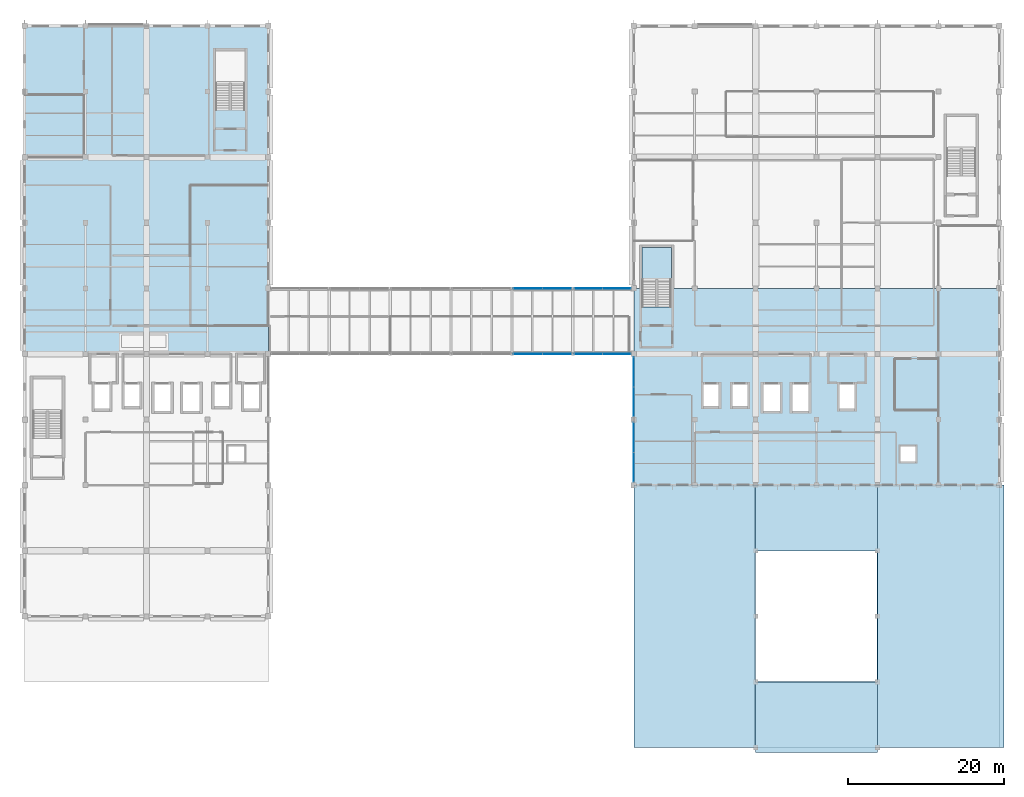
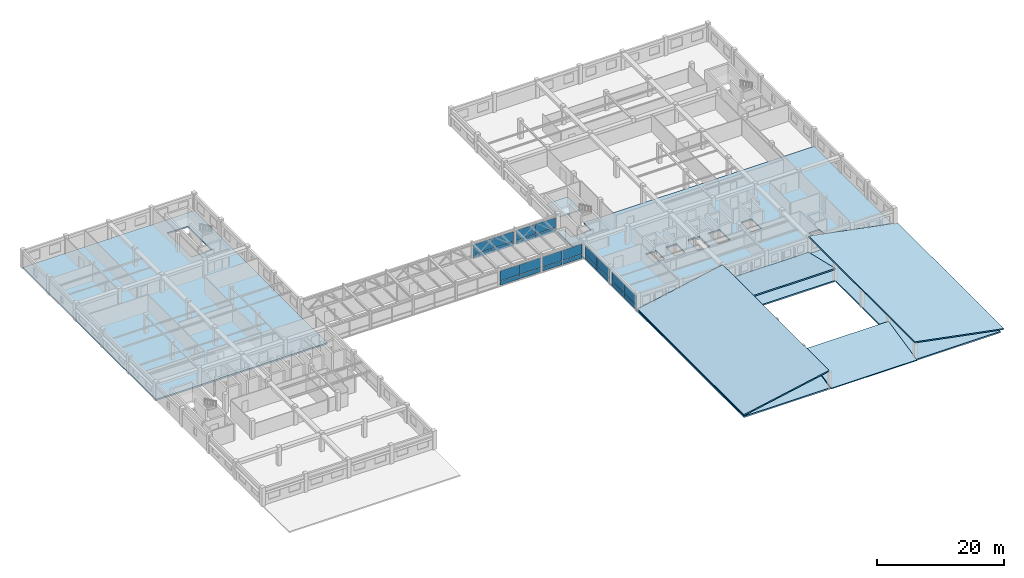
# One storey, part 29 of 49: 24 plates, 8 slabs, 7 elements without a shape of their own.
"""IFC4 building model written with IfcOpenShell, lengths in metres."""

import ifcopenshell
import ifcopenshell.guid

model = None  # the IFC model being written
_history = None  # IfcOwnerHistory: only IFC2X3 demands one
_inside = {}  # id of a spatial element -> (the spatial element, [elements in it])
_under = {}  # id of a project, library or spatial element -> (it, [spatial elements below it])
_declared = {}  # id of a project -> (the project, [libraries it declares])
_typed = {}  # id of a type object -> (the type object, [elements of that type])
_made_of = {}  # id of a material, layer set ... -> (it, [elements and type objects made of it])


def new_model(schema):
    """Start an empty IFC model of exactly this schema.

    Asked for "IFC4X3", IfcOpenShell would pick the latest addendum, in which some entities
    have other attributes; the version numbers below select the first issue.
    IFC2X3 requires an IfcOwnerHistory on every rooted entity: one is made here for all.
    """
    global model, _history
    if schema == "IFC4X3":
        model = ifcopenshell.file(schema_version=(4, 3, 0, 0))
    else:
        model = ifcopenshell.file(schema=schema)
    _inside.clear()
    _under.clear()
    _declared.clear()
    _typed.clear()
    _made_of.clear()
    _history = None
    if model.schema == "IFC2X3":
        org = make("IfcOrganization", Name="unknown")
        user = make(
            "IfcPersonAndOrganization",
            ThePerson=make("IfcPerson", FamilyName="unknown"),
            TheOrganization=org,
        )
        app = make(
            "IfcApplication",
            ApplicationDeveloper=org,
            Version="unknown",
            ApplicationFullName="unknown",
            ApplicationIdentifier="unknown",
        )
        _history = make(
            "IfcOwnerHistory",
            OwningUser=user,
            OwningApplication=app,
            ChangeAction="ADDED",
            CreationDate=0,
        )
    return model


def make(cls, **values):
    """One entity of the class cls with the attributes given. An attribute that is None is left unset."""
    return model.create_entity(
        cls, **{name: value for name, value in values.items() if value is not None}
    )


def rooted(cls, **values):
    """An entity with a GlobalId (a new one), such as an element, a storey or a relation."""
    return make(cls, GlobalId=ifcopenshell.guid.new(), OwnerHistory=_history, **values)


def si_unit(unit_type, name, prefix=None):
    """IfcSIUnit, for example si_unit("LENGTHUNIT", "METRE", prefix="MILLI")."""
    return make("IfcSIUnit", UnitType=unit_type, Prefix=prefix, Name=name)


def assignment(units):
    """IfcUnitAssignment: the units of a project."""
    return None if units is None else make("IfcUnitAssignment", Units=units)


def point(xyz):
    """IfcCartesianPoint."""
    return None if xyz is None else make("IfcCartesianPoint", Coordinates=xyz)


def direction(xyz):
    """IfcDirection."""
    return None if xyz is None else make("IfcDirection", DirectionRatios=xyz)


def frame(location, z_axis=None, x_axis=None):
    """IfcAxis2Placement3D, a coordinate frame: its origin and axes. An axis left out is left unset."""
    return make(
        "IfcAxis2Placement3D",
        Location=point(location),
        Axis=direction(z_axis),
        RefDirection=direction(x_axis),
    )


def frame_2d(location, x_axis=None):
    """IfcAxis2Placement2D, a coordinate frame in the plane: its origin and x axis."""
    return make(
        "IfcAxis2Placement2D", Location=point(location), RefDirection=direction(x_axis)
    )


def origin():
    """The frame at (0, 0, 0) with its axes left unset."""
    return frame((0.0, 0.0, 0.0))


def origin_2d():
    """The frame at (0, 0) in the plane with its x axis left unset."""
    return frame_2d((0.0, 0.0))


def place(relative_to, where):
    """IfcLocalPlacement: puts the frame where relative to a parent placement (None: the world)."""
    return make(
        "IfcLocalPlacement", PlacementRelTo=relative_to, RelativePlacement=where
    )


def context(
    kind, dimensions, precision=None, world=None, true_north=None, identifier=None
):
    """IfcGeometricRepresentationContext, for example the 3D "Model" context."""
    return make(
        "IfcGeometricRepresentationContext",
        ContextIdentifier=identifier,
        ContextType=kind,
        CoordinateSpaceDimension=dimensions,
        Precision=precision,
        WorldCoordinateSystem=world,
        TrueNorth=true_north,
    )


def subcontext(parent, identifier, kind, view, scale=None):
    """IfcGeometricRepresentationSubContext, for example "Body" below "Model"."""
    return make(
        "IfcGeometricRepresentationSubContext",
        ContextIdentifier=identifier,
        ContextType=kind,
        ParentContext=parent,
        TargetScale=scale,
        TargetView=view,
    )


def project(units=None, contexts=None):
    """IfcProject with its units and contexts."""
    return rooted(
        "IfcProject",
        Name="project",
        RepresentationContexts=contexts,
        UnitsInContext=assignment(units),
    )


def spatial(cls, under=None, at=None, **own):
    """A site, building, storey or space (cls), placed at a placement, below another one or the project."""
    s = rooted(cls, ObjectPlacement=at, **own)
    if under is not None:
        _under.setdefault(under.id(), (under, []))[1].append(s)
    return s


def polyline(points):
    """IfcPolyline through the points."""
    return make("IfcPolyline", Points=[point(p) for p in points])


def profile(cls, at=None, kind="AREA", **sizes):
    """A parametric profile (cls). Its sizes go by their IFC names, for example OverallWidth=200.0."""
    return make(cls, ProfileType=kind, Position=at, **sizes)


def rectangle(**sizes):
    """IfcRectangleProfileDef."""
    return profile("IfcRectangleProfileDef", **sizes)


def outline(outer, holes=None, kind="AREA"):
    """IfcArbitraryClosedProfileDef: a profile drawn as a closed curve; with holes, ...WithVoids."""
    if holes is None:
        return make("IfcArbitraryClosedProfileDef", ProfileType=kind, OuterCurve=outer)
    return make(
        "IfcArbitraryProfileDefWithVoids",
        ProfileType=kind,
        OuterCurve=outer,
        InnerCurves=holes,
    )


def extrude(swept, where, along, depth):
    """IfcExtrudedAreaSolid: the profile swept, set in the frame where, extruded along a direction by depth."""
    return make(
        "IfcExtrudedAreaSolid",
        SweptArea=swept,
        Position=where,
        ExtrudedDirection=direction(along),
        Depth=depth,
    )


def shape(context_of_items, identifier, shape_type, items):
    """IfcShapeRepresentation: the items that make up one representation, for example the "Body"."""
    return make(
        "IfcShapeRepresentation",
        ContextOfItems=context_of_items,
        RepresentationIdentifier=identifier,
        RepresentationType=shape_type,
        Items=items,
    )


def material(Name=None, Category=None):
    """IfcMaterial."""
    return make("IfcMaterial", Name=Name, Category=Category)


def layer(
    of_material, thickness, ventilated=None, Name=None, Category=None, Priority=None
):
    """IfcMaterialLayer: one layer of a wall or slab, of a material (None: an air gap)."""
    return make(
        "IfcMaterialLayer",
        Material=of_material,
        LayerThickness=thickness,
        IsVentilated=ventilated,
        Name=Name,
        Category=Category,
        Priority=Priority,
    )


def layer_set(layers, Name=None):
    """IfcMaterialLayerSet."""
    return make("IfcMaterialLayerSet", MaterialLayers=layers, LayerSetName=Name)


def made_of(thing, what):
    """Note that an element or type object is made of a material, layer set ...; save() writes the relation."""
    if what is not None:
        _made_of.setdefault(what.id(), (what, []))[1].append(thing)
    return thing


def type_object(cls, material=None, **own):
    """A type object (cls), such as IfcWallType, which elements share."""
    return made_of(rooted(cls, **own), material)


def element(
    cls,
    number,
    at=None,
    inside=None,
    cuts=None,
    type_object=None,
    material=None,
    context=None,
    identifier="Body",
    shape_type=None,
    held_by="IfcProductDefinitionShape",
    body=None,
    shapes=None,
    **own,
):
    """One element of the class cls, such as IfcWall. Its Tag is "e" and its number.

    at: its placement. inside: the storey or other place that contains it. cuts: it is an
    opening in that element (IfcRelVoidsElement). A single representation is given by context,
    identifier, shape_type and body (its items); several are given by shapes. held_by: the class
    of the entity that holds the representations. save() writes the other relations.
    """
    e = rooted(cls, Tag="e%d" % number, ObjectPlacement=at, **own)
    if body is not None:
        shapes = [shape(context, identifier, shape_type, body)]
    if shapes is not None:
        e.Representation = make(held_by, Representations=shapes)
    if inside is not None:
        _inside.setdefault(inside.id(), (inside, []))[1].append(e)
    if cuts is not None:
        rooted(
            "IfcRelVoidsElement", RelatingBuildingElement=cuts, RelatedOpeningElement=e
        )
    if type_object is not None:
        _typed.setdefault(type_object.id(), (type_object, []))[1].append(e)
    return made_of(e, material)


def aggregate(whole, parts):
    """IfcRelAggregates: a whole, such as a stair, and the parts it consists of."""
    return rooted("IfcRelAggregates", RelatingObject=whole, RelatedObjects=parts)


def save(model, path):
    """Write the relations noted so far, then the file.

    IfcRelAggregates (storeys below a building ...), IfcRelContainedInSpatialStructure (elements
    in a storey), IfcRelDefinesByType, IfcRelAssociatesMaterial and IfcRelDeclares: one each for
    every whole, place, type object, material and project.
    """
    for whole, parts in _under.values():
        aggregate(whole, parts)
    for where, things in _inside.values():
        rooted(
            "IfcRelContainedInSpatialStructure",
            RelatedElements=things,
            RelatingStructure=where,
        )
    for kind, things in _typed.values():
        rooted("IfcRelDefinesByType", RelatedObjects=things, RelatingType=kind)
    for what, things in _made_of.values():
        rooted("IfcRelAssociatesMaterial", RelatedObjects=things, RelatingMaterial=what)
    for by, libraries in _declared.values():
        rooted("IfcRelDeclares", RelatingContext=by, RelatedDefinitions=libraries)
    model.write(path)


model = new_model("IFC4")

# Units and contexts
model_context = context("Model", 3, precision=1e-05, world=origin(), true_north=direction((0.0, 1.0)))
body_context = subcontext(model_context, "Body", "Model", "MODEL_VIEW")
ifc_project = project(units=[si_unit("LENGTHUNIT", "METRE"), si_unit("AREAUNIT", "SQUARE_METRE"), si_unit("VOLUMEUNIT", "CUBIC_METRE"), si_unit("PLANEANGLEUNIT", "RADIAN"), si_unit("MASSUNIT", "GRAM", prefix="KILO"), si_unit("THERMODYNAMICTEMPERATUREUNIT", "KELVIN"), si_unit("POWERUNIT", "WATT")], contexts=[model_context])

# Site, building, storey
site_placement = place(None, origin())
site = spatial("IfcSite", under=ifc_project, at=site_placement, CompositionType="ELEMENT")
building_placement = place(site_placement, origin())
building = spatial("IfcBuilding", under=site, at=building_placement, Name="Srebrne Nadtorze General Hospital", CompositionType="ELEMENT")
storey_placement = place(building_placement, frame((0.0, 0.0, 26.10009765625)))
storey = spatial("IfcBuildingStorey", under=building, at=storey_placement, Name="L06", CompositionType="ELEMENT", Elevation=26.10009765625)

# Curtain wall, plates
ifc_material_1 = material(Name="Anodised Aluminium", Category="aluminium")
curtain_wall_type_1 = type_object("IfcCurtainWallType", Name="Bridge curtain wall 7500x2850", PredefinedType="NOTDEFINED", material=ifc_material_1)
curtain_wall_1_placement = place(storey_placement, origin())
curtain_wall_1 = element("IfcCurtainWall", 1, at=curtain_wall_1_placement, inside=storey, type_object=curtain_wall_type_1, Name="Curtain wall CW-142", PredefinedType="NOTDEFINED")
ifc_material_2 = material(Name="Triple Low-E Glazing", Category="glass")
ifc_layer_1 = layer(ifc_material_2, 0.050048828125)
ifc_layer_set_1 = layer_set([ifc_layer_1], Name="Triple Low-E Glazing")
plate_type = type_object("IfcPlateType", Name="Glazed curtain panel 50", PredefinedType="CURTAIN_PANEL", material=ifc_layer_set_1)
plate_1_placement = place(storey_placement, frame((87.840087890625, 50.39990234375, 0.06005859375), z_axis=(0.0, 0.0, 1.0), x_axis=(1.0, 0.0, 0.0)))
plate_1 = element("IfcPlate", 2, at=plate_1_placement, type_object=plate_type, Name="CW-142 panel 1.1", PredefinedType="CURTAIN_PANEL", context=body_context, shape_type="SweptSolid", body=[
    extrude(rectangle(XDim=3.659912109375, YDim=0.050048828125, at=origin_2d()), origin(), (0.0, 0.0, 1.0), 0.760009765625),
])
plate_2_placement = place(storey_placement, frame((87.840087890625, 50.39990234375, 0.8798828125), z_axis=(0.0, 0.0, 1.0), x_axis=(1.0, 0.0, 0.0)))
plate_2 = element("IfcPlate", 3, at=plate_2_placement, type_object=plate_type, Name="CW-142 panel 1.2", PredefinedType="CURTAIN_PANEL", context=body_context, shape_type="SweptSolid", body=[
    extrude(rectangle(XDim=3.659912109375, YDim=0.050048828125, at=origin_2d()), origin(), (0.0, 0.0, 1.0), 1.909912109375),
])
plate_3_placement = place(storey_placement, frame((91.56005859375, 50.39990234375, 0.06005859375), z_axis=(0.0, 0.0, 1.0), x_axis=(1.0, 0.0, 0.0)))
plate_3 = element("IfcPlate", 4, at=plate_3_placement, type_object=plate_type, Name="CW-142 panel 2.1", PredefinedType="CURTAIN_PANEL", context=body_context, shape_type="SweptSolid", body=[
    extrude(rectangle(XDim=3.659912109375, YDim=0.050048828125, at=origin_2d()), origin(), (0.0, 0.0, 1.0), 0.760009765625),
])
plate_4_placement = place(storey_placement, frame((91.56005859375, 50.39990234375, 0.8798828125), z_axis=(0.0, 0.0, 1.0), x_axis=(1.0, 0.0, 0.0)))
plate_4 = element("IfcPlate", 5, at=plate_4_placement, type_object=plate_type, Name="CW-142 panel 2.2", PredefinedType="CURTAIN_PANEL", context=body_context, shape_type="SweptSolid", body=[
    extrude(rectangle(XDim=3.659912109375, YDim=0.050048828125, at=origin_2d()), origin(), (0.0, 0.0, 1.0), 1.909912109375),
])
aggregate(curtain_wall_1, [plate_1, plate_2, plate_3, plate_4])

ifc_material_3 = material(Name="Anodised Aluminium", Category="aluminium")
curtain_wall_type_2 = type_object("IfcCurtainWallType", Name="Bridge curtain wall 7300x2850", PredefinedType="NOTDEFINED", material=ifc_material_3)
curtain_wall_2_placement = place(storey_placement, origin())
curtain_wall_2 = element("IfcCurtainWall", 6, at=curtain_wall_2_placement, inside=storey, type_object=curtain_wall_type_2, Name="Curtain wall CW-143", PredefinedType="NOTDEFINED")
plate_5_placement = place(storey_placement, frame((95.59130859375, 50.39990234375, 0.06494140625), z_axis=(0.0, 0.0, 1.0), x_axis=(1.0, 0.0, 0.0)))
plate_5 = element("IfcPlate", 7, at=plate_5_placement, type_object=plate_type, Name="CW-143 panel 1.1", PredefinedType="CURTAIN_PANEL", context=body_context, shape_type="SweptSolid", body=[
    extrude(rectangle(XDim=3.552490234375, YDim=0.050048828125, at=origin_2d()), origin(), (0.0, 0.0, 1.0), 0.75244140625),
])
plate_6_placement = place(storey_placement, frame((95.59130859375, 50.39990234375, 0.88232421875), z_axis=(0.0, 0.0, 1.0), x_axis=(1.0, 0.0, 0.0)))
plate_6 = element("IfcPlate", 8, at=plate_6_placement, type_object=plate_type, Name="CW-143 panel 1.2", PredefinedType="CURTAIN_PANEL", context=body_context, shape_type="SweptSolid", body=[
    extrude(rectangle(XDim=3.552490234375, YDim=0.050048828125, at=origin_2d()), origin(), (0.0, 0.0, 1.0), 1.902587890625),
])
plate_7_placement = place(storey_placement, frame((99.208740234375, 50.39990234375, 0.06494140625), z_axis=(0.0, 0.0, 1.0), x_axis=(1.0, 0.0, 0.0)))
plate_7 = element("IfcPlate", 9, at=plate_7_placement, type_object=plate_type, Name="CW-143 panel 2.1", PredefinedType="CURTAIN_PANEL", context=body_context, shape_type="SweptSolid", body=[
    extrude(rectangle(XDim=3.552490234375, YDim=0.050048828125, at=origin_2d()), origin(), (0.0, 0.0, 1.0), 0.75244140625),
])
plate_8_placement = place(storey_placement, frame((99.208740234375, 50.39990234375, 0.88232421875), z_axis=(0.0, 0.0, 1.0), x_axis=(1.0, 0.0, 0.0)))
plate_8 = element("IfcPlate", 10, at=plate_8_placement, type_object=plate_type, Name="CW-143 panel 2.2", PredefinedType="CURTAIN_PANEL", context=body_context, shape_type="SweptSolid", body=[
    extrude(rectangle(XDim=3.552490234375, YDim=0.050048828125, at=origin_2d()), origin(), (0.0, 0.0, 1.0), 1.902587890625),
])
aggregate(curtain_wall_2, [plate_5, plate_6, plate_7, plate_8])

curtain_wall_3_placement = place(storey_placement, origin())
curtain_wall_3 = element("IfcCurtainWall", 11, at=curtain_wall_3_placement, inside=storey, type_object=curtain_wall_type_1, Name="Curtain wall CW-148", PredefinedType="NOTDEFINED")
plate_9_placement = place(storey_placement, frame((87.840087890625, 58.800048828125, 0.06005859375), z_axis=(0.0, 0.0, 1.0), x_axis=(1.0, 0.0, 0.0)))
plate_9 = element("IfcPlate", 12, at=plate_9_placement, type_object=plate_type, Name="CW-148 panel 1.1", PredefinedType="CURTAIN_PANEL", context=body_context, shape_type="SweptSolid", body=[
    extrude(rectangle(XDim=3.659912109375, YDim=0.050048828125, at=origin_2d()), origin(), (0.0, 0.0, 1.0), 0.760009765625),
])
plate_10_placement = place(storey_placement, frame((87.840087890625, 58.800048828125, 0.8798828125), z_axis=(0.0, 0.0, 1.0), x_axis=(1.0, 0.0, 0.0)))
plate_10 = element("IfcPlate", 13, at=plate_10_placement, type_object=plate_type, Name="CW-148 panel 1.2", PredefinedType="CURTAIN_PANEL", context=body_context, shape_type="SweptSolid", body=[
    extrude(rectangle(XDim=3.659912109375, YDim=0.050048828125, at=origin_2d()), origin(), (0.0, 0.0, 1.0), 1.909912109375),
])
plate_11_placement = place(storey_placement, frame((91.56005859375, 58.800048828125, 0.06005859375), z_axis=(0.0, 0.0, 1.0), x_axis=(1.0, 0.0, 0.0)))
plate_11 = element("IfcPlate", 14, at=plate_11_placement, type_object=plate_type, Name="CW-148 panel 2.1", PredefinedType="CURTAIN_PANEL", context=body_context, shape_type="SweptSolid", body=[
    extrude(rectangle(XDim=3.659912109375, YDim=0.050048828125, at=origin_2d()), origin(), (0.0, 0.0, 1.0), 0.760009765625),
])
plate_12_placement = place(storey_placement, frame((91.56005859375, 58.800048828125, 0.8798828125), z_axis=(0.0, 0.0, 1.0), x_axis=(1.0, 0.0, 0.0)))
plate_12 = element("IfcPlate", 15, at=plate_12_placement, type_object=plate_type, Name="CW-148 panel 2.2", PredefinedType="CURTAIN_PANEL", context=body_context, shape_type="SweptSolid", body=[
    extrude(rectangle(XDim=3.659912109375, YDim=0.050048828125, at=origin_2d()), origin(), (0.0, 0.0, 1.0), 1.909912109375),
])
aggregate(curtain_wall_3, [plate_9, plate_10, plate_11, plate_12])

curtain_wall_4_placement = place(storey_placement, origin())
curtain_wall_4 = element("IfcCurtainWall", 16, at=curtain_wall_4_placement, inside=storey, type_object=curtain_wall_type_2, Name="Curtain wall CW-149", PredefinedType="NOTDEFINED")
plate_13_placement = place(storey_placement, frame((95.59130859375, 58.800048828125, 0.06494140625), z_axis=(0.0, 0.0, 1.0), x_axis=(1.0, 0.0, 0.0)))
plate_13 = element("IfcPlate", 17, at=plate_13_placement, type_object=plate_type, Name="CW-149 panel 1.1", PredefinedType="CURTAIN_PANEL", context=body_context, shape_type="SweptSolid", body=[
    extrude(rectangle(XDim=3.552490234375, YDim=0.050048828125, at=origin_2d()), origin(), (0.0, 0.0, 1.0), 0.75244140625),
])
plate_14_placement = place(storey_placement, frame((95.59130859375, 58.800048828125, 0.88232421875), z_axis=(0.0, 0.0, 1.0), x_axis=(1.0, 0.0, 0.0)))
plate_14 = element("IfcPlate", 18, at=plate_14_placement, type_object=plate_type, Name="CW-149 panel 1.2", PredefinedType="CURTAIN_PANEL", context=body_context, shape_type="SweptSolid", body=[
    extrude(rectangle(XDim=3.552490234375, YDim=0.050048828125, at=origin_2d()), origin(), (0.0, 0.0, 1.0), 1.902587890625),
])
plate_15_placement = place(storey_placement, frame((99.208740234375, 58.800048828125, 0.06494140625), z_axis=(0.0, 0.0, 1.0), x_axis=(1.0, 0.0, 0.0)))
plate_15 = element("IfcPlate", 19, at=plate_15_placement, type_object=plate_type, Name="CW-149 panel 2.1", PredefinedType="CURTAIN_PANEL", context=body_context, shape_type="SweptSolid", body=[
    extrude(rectangle(XDim=3.552490234375, YDim=0.050048828125, at=origin_2d()), origin(), (0.0, 0.0, 1.0), 0.75244140625),
])
plate_16_placement = place(storey_placement, frame((99.208740234375, 58.800048828125, 0.88232421875), z_axis=(0.0, 0.0, 1.0), x_axis=(1.0, 0.0, 0.0)))
plate_16 = element("IfcPlate", 20, at=plate_16_placement, type_object=plate_type, Name="CW-149 panel 2.2", PredefinedType="CURTAIN_PANEL", context=body_context, shape_type="SweptSolid", body=[
    extrude(rectangle(XDim=3.552490234375, YDim=0.050048828125, at=origin_2d()), origin(), (0.0, 0.0, 1.0), 1.902587890625),
])
aggregate(curtain_wall_4, [plate_13, plate_14, plate_15, plate_16])

ifc_material_4 = material(Name="Anodised Aluminium", Category="aluminium")
curtain_wall_type_3 = type_object("IfcCurtainWallType", Name="Unitised curtain wall 7700x2650", PredefinedType="NOTDEFINED", material=ifc_material_4)
curtain_wall_5_placement = place(storey_placement, origin())
curtain_wall_5 = element("IfcCurtainWall", 21, at=curtain_wall_5_placement, inside=storey, type_object=curtain_wall_type_3, Name="Curtain wall CW-152", PredefinedType="NOTDEFINED")
plate_17_placement = place(storey_placement, frame((101.39990234375, 35.889892578125, 0.06005859375), z_axis=(0.0, 0.0, 1.0), x_axis=(0.0, 1.0, 0.0)))
plate_17 = element("IfcPlate", 22, at=plate_17_placement, type_object=plate_type, Name="CW-152 panel 1.1", PredefinedType="CURTAIN_PANEL", context=body_context, shape_type="SweptSolid", body=[
    extrude(rectangle(XDim=3.760009765625, YDim=0.050048828125, at=origin_2d()), origin(), (0.0, 0.0, 1.0), 0.760009765625),
])
plate_18_placement = place(storey_placement, frame((101.39990234375, 35.889892578125, 0.8798828125), z_axis=(0.0, 0.0, 1.0), x_axis=(0.0, 1.0, 0.0)))
plate_18 = element("IfcPlate", 23, at=plate_18_placement, type_object=plate_type, Name="CW-152 panel 1.2", PredefinedType="CURTAIN_PANEL", context=body_context, shape_type="SweptSolid", body=[
    extrude(rectangle(XDim=3.760009765625, YDim=0.050048828125, at=origin_2d()), origin(), (0.0, 0.0, 1.0), 1.7099609375),
])
plate_19_placement = place(storey_placement, frame((101.39990234375, 39.7099609375, 0.06005859375), z_axis=(0.0, 0.0, 1.0), x_axis=(0.0, 1.0, 0.0)))
plate_19 = element("IfcPlate", 24, at=plate_19_placement, type_object=plate_type, Name="CW-152 panel 2.1", PredefinedType="CURTAIN_PANEL", context=body_context, shape_type="SweptSolid", body=[
    extrude(rectangle(XDim=3.760009765625, YDim=0.050048828125, at=origin_2d()), origin(), (0.0, 0.0, 1.0), 0.760009765625),
])
plate_20_placement = place(storey_placement, frame((101.39990234375, 39.7099609375, 0.8798828125), z_axis=(0.0, 0.0, 1.0), x_axis=(0.0, 1.0, 0.0)))
plate_20 = element("IfcPlate", 25, at=plate_20_placement, type_object=plate_type, Name="CW-152 panel 2.2", PredefinedType="CURTAIN_PANEL", context=body_context, shape_type="SweptSolid", body=[
    extrude(rectangle(XDim=3.760009765625, YDim=0.050048828125, at=origin_2d()), origin(), (0.0, 0.0, 1.0), 1.7099609375),
])
aggregate(curtain_wall_5, [plate_17, plate_18, plate_19, plate_20])

curtain_wall_6_placement = place(storey_placement, origin())
curtain_wall_6 = element("IfcCurtainWall", 26, at=curtain_wall_6_placement, inside=storey, type_object=curtain_wall_type_3, Name="Curtain wall CW-153", PredefinedType="NOTDEFINED")
plate_21_placement = place(storey_placement, frame((101.39990234375, 44.291259765625, 0.06494140625), z_axis=(0.0, 0.0, 1.0), x_axis=(0.0, 1.0, 0.0)))
plate_21 = element("IfcPlate", 27, at=plate_21_placement, type_object=plate_type, Name="CW-153 panel 1.1", PredefinedType="CURTAIN_PANEL", context=body_context, shape_type="SweptSolid", body=[
    extrude(rectangle(XDim=3.75244140625, YDim=0.050048828125, at=origin_2d()), origin(), (0.0, 0.0, 1.0), 0.75244140625),
])
plate_22_placement = place(storey_placement, frame((101.39990234375, 44.291259765625, 0.88232421875), z_axis=(0.0, 0.0, 1.0), x_axis=(0.0, 1.0, 0.0)))
plate_22 = element("IfcPlate", 28, at=plate_22_placement, type_object=plate_type, Name="CW-153 panel 1.2", PredefinedType="CURTAIN_PANEL", context=body_context, shape_type="SweptSolid", body=[
    extrude(rectangle(XDim=3.75244140625, YDim=0.050048828125, at=origin_2d()), origin(), (0.0, 0.0, 1.0), 1.702392578125),
])
plate_23_placement = place(storey_placement, frame((101.39990234375, 48.108642578125, 0.06494140625), z_axis=(0.0, 0.0, 1.0), x_axis=(0.0, 1.0, 0.0)))
plate_23 = element("IfcPlate", 29, at=plate_23_placement, type_object=plate_type, Name="CW-153 panel 2.1", PredefinedType="CURTAIN_PANEL", context=body_context, shape_type="SweptSolid", body=[
    extrude(rectangle(XDim=3.75244140625, YDim=0.050048828125, at=origin_2d()), origin(), (0.0, 0.0, 1.0), 0.75244140625),
])
plate_24_placement = place(storey_placement, frame((101.39990234375, 48.108642578125, 0.88232421875), z_axis=(0.0, 0.0, 1.0), x_axis=(0.0, 1.0, 0.0)))
plate_24 = element("IfcPlate", 30, at=plate_24_placement, type_object=plate_type, Name="CW-153 panel 2.2", PredefinedType="CURTAIN_PANEL", context=body_context, shape_type="SweptSolid", body=[
    extrude(rectangle(XDim=3.75244140625, YDim=0.050048828125, at=origin_2d()), origin(), (0.0, 0.0, 1.0), 1.702392578125),
])
aggregate(curtain_wall_6, [plate_21, plate_22, plate_23, plate_24])

# Slabs
ifc_material_5 = material(Name="Concrete C35/45", Category="concrete")
ifc_layer_2 = layer(ifc_material_5, 0.280029296875)
ifc_layer_set_2 = layer_set([ifc_layer_2], Name="Concrete C35/45")
slab_type_1 = type_object("IfcSlabType", Name="Interstitial slab 280", PredefinedType="FLOOR", material=ifc_layer_set_2)
slab_1_placement = place(storey_placement, frame((0.0, 0.0, -0.280029296875)))
element("IfcSlab", 31, at=slab_1_placement, inside=storey, type_object=slab_type_1, Name="Suspended floor slab SL-L06-WN", PredefinedType="FLOOR", context=body_context, shape_type="SweptSolid", body=[
    extrude(outline(polyline([(54.60009765625, 50.39990234375), (54.60009765625, 92.39990234375), (23.39990234375, 92.39990234375), (23.39990234375, 50.39990234375), (54.60009765625, 50.39990234375)]), holes=[polyline([(51.60009765625, 81.60498046875), (47.85009765625, 81.60498046875), (47.85009765625, 89.199951171875), (51.60009765625, 89.199951171875), (51.60009765625, 81.60498046875)])]), origin(), (0.0, 0.0, 1.0), 0.280029296875),
])
slab_2_placement = place(storey_placement, frame((0.0, 0.0, -0.280029296875)))
element("IfcSlab", 32, at=slab_2_placement, inside=storey, type_object=slab_type_1, Name="Suspended floor slab SL-L06-ES", PredefinedType="FLOOR", context=body_context, shape_type="SweptSolid", body=[
    extrude(outline(polyline([(106.199951171875, 58.800048828125), (106.199951171875, 56.405029296875), (102.449951171875, 56.405029296875), (102.449951171875, 58.800048828125), (101.39990234375, 58.800048828125), (101.39990234375, 33.60009765625), (148.199951171875, 33.60009765625), (148.199951171875, 58.800048828125), (106.199951171875, 58.800048828125)]), holes=[polyline([(137.5, 36.60009765625), (135.5, 36.60009765625), (135.5, 38.60009765625), (137.5, 38.60009765625), (137.5, 36.60009765625)]), polyline([(120.10009765625, 43.110107421875), (118.0, 43.110107421875), (118.0, 46.4599609375), (120.10009765625, 46.4599609375), (120.10009765625, 43.110107421875)]), polyline([(123.800048828125, 43.110107421875), (121.699951171875, 43.110107421875), (121.699951171875, 46.4599609375), (123.800048828125, 46.4599609375), (123.800048828125, 43.110107421875)]), polyline([(129.64990234375, 43.409912109375), (127.75, 43.409912109375), (127.75, 46.4599609375), (129.64990234375, 46.4599609375), (129.64990234375, 43.409912109375)]), polyline([(112.25, 43.7099609375), (110.35009765625, 43.7099609375), (110.35009765625, 46.4599609375), (112.25, 46.4599609375), (112.25, 43.7099609375)]), polyline([(115.949951171875, 43.7099609375), (114.050048828125, 43.7099609375), (114.050048828125, 46.4599609375), (115.949951171875, 46.4599609375), (115.949951171875, 43.7099609375)])]), origin(), (0.0, 0.0, 1.0), 0.280029296875),
])
ifc_material_6 = material(Name="Concrete C35/45", Category="concrete")
ifc_layer_3 = layer(ifc_material_6, 0.27001953125)
ifc_layer_set_3 = layer_set([ifc_layer_3], Name="Concrete C35/45")
slab_type_2 = type_object("IfcSlabType", Name="Main roof slab 270", PredefinedType="ROOF", material=ifc_layer_set_3)
slab_3_placement = place(storey_placement, frame((0.0, 0.0, -0.27001953125)))
element("IfcSlab", 33, at=slab_3_placement, inside=storey, type_object=slab_type_2, Name="Volume ceiling roof slab RF-L05-02", PredefinedType="ROOF", context=body_context, shape_type="SweptSolid", body=[
    extrude(outline(polyline([(148.199951171875, 33.60009765625), (101.39990234375, 33.60009765625), (101.39990234375, 0.0), (148.199951171875, 0.0), (148.199951171875, 33.60009765625)]), holes=[polyline([(132.60009765625, 25.199951171875), (132.60009765625, 8.39990234375), (117.0, 8.39990234375), (117.0, 25.199951171875), (132.60009765625, 25.199951171875)])]), origin(), (0.0, 0.0, 1.0), 0.27001953125),
])
ifc_material_7 = material(Name="Concrete C35/45", Category="concrete")
ifc_layer_4 = layer(ifc_material_7, 0.219970703125)
ifc_layer_set_4 = layer_set([ifc_layer_4], Name="Concrete C35/45")
slab_type_3 = type_object("IfcSlabType", Name="Pitched pavilion roof slab 220", PredefinedType="ROOF", material=ifc_layer_set_4)
slab_4_placement = place(storey_placement, frame((101.39990234375, 0.0, 0.31982421875), z_axis=(-0.195878806973, 0.0, 0.980628111457), x_axis=(0.980628111457, 0.0, 0.195878806973)))
element("IfcSlab", 34, at=slab_4_placement, inside=storey, type_object=slab_type_3, Name="Outpatient clinic pitched roof slab RF-RP-CLN-W", PredefinedType="ROOF", context=body_context, shape_type="SweptSolid", body=[
    extrude(outline(polyline([(0.0, 0.0), (15.826610873104459, 0.0), (15.826610873104459, 33.60009765625), (0.0, 33.60009765625), (0.0, 0.0)])), origin(), (0.0, 0.0, -1.0), 0.219970703125),
])
slab_5_placement = place(storey_placement, frame((132.60009765625, 0.0, 3.43994140625), z_axis=(0.189124567347, 0.0, 0.981953103781), x_axis=(0.981953103781, 0.0, -0.189124567347)))
element("IfcSlab", 35, at=slab_5_placement, inside=storey, type_object=slab_type_3, Name="Outpatient clinic pitched roof slab RF-RP-CLN-E", PredefinedType="ROOF", context=body_context, shape_type="SweptSolid", body=[
    extrude(outline(polyline([(0.0, 0.0), (16.49768314748671, 0.0), (16.49768314748671, 33.60009765625), (0.0, 33.60009765625), (0.0, 0.0)])), origin(), (0.0, 0.0, -1.0), 0.219970703125),
])
slab_6_placement = place(storey_placement, frame((117.0, -0.60009765625, 0.31982421875), z_axis=(0.0, -0.214859761065, 0.976644911457), x_axis=(1.0, 0.0, 0.0)))
element("IfcSlab", 36, at=slab_6_placement, inside=storey, type_object=slab_type_3, Name="Outpatient clinic south pitched roof slab RF-RP-CLN-S", PredefinedType="ROOF", context=body_context, shape_type="SweptSolid", body=[
    extrude(outline(polyline([(0.0, 0.0), (15.60009765625, 0.0), (15.60009765625, 9.215222333543096), (0.0, 9.215222333543096), (0.0, 0.0)])), origin(), (0.0, 0.0, -1.0), 0.219970703125),
])
slab_7_placement = place(storey_placement, frame((117.0, 25.199951171875, 2.2998046875), z_axis=(0.0, 0.229420888175, 0.973327311889), x_axis=(1.0, 0.0, 0.0)))
element("IfcSlab", 37, at=slab_7_placement, inside=storey, type_object=slab_type_3, Name="Outpatient clinic north pitched roof slab RF-RP-CLN-N", PredefinedType="ROOF", context=body_context, shape_type="SweptSolid", body=[
    extrude(outline(polyline([(0.0, 0.0), (15.60009765625, 0.0), (15.60009765625, 8.630340874820016), (0.0, 8.630340874820016), (0.0, 0.0)])), origin(), (0.0, 0.0, -1.0), 0.219970703125),
])

# Stair, slab
ifc_material_8 = material(Name="Concrete C35/45", Category="concrete")
stair_type = type_object("IfcStairType", Name="Dog-leg escape stair 360", PredefinedType="HALF_TURN_STAIR", material=ifc_material_8)
stair_placement = place(storey_placement, origin())
stair = element("IfcStair", 38, at=stair_placement, inside=storey, type_object=stair_type, Name="Escape stair ST-03-L06", PredefinedType="HALF_TURN_STAIR")
ifc_material_9 = material(Name="Concrete C35/45", Category="concrete")
ifc_layer_5 = layer(ifc_material_9, 0.219970703125)
ifc_layer_set_5 = layer_set([ifc_layer_5], Name="Concrete C35/45")
slab_type_4 = type_object("IfcSlabType", Name="Stair landing slab 220", PredefinedType="LANDING", material=ifc_layer_set_5)
slab_8_placement = place(storey_placement, frame((0.0, 0.0, 1.579833984375)))
slab_8 = element("IfcSlab", 39, at=slab_8_placement, type_object=slab_type_4, Name="ST-03 landing 1", PredefinedType="LANDING", context=body_context, shape_type="SweptSolid", body=[
    extrude(outline(polyline([(102.449951171875, 59.919921875), (106.199951171875, 59.919921875), (106.199951171875, 64.0), (102.449951171875, 64.0), (102.449951171875, 59.919921875)])), origin(), (0.0, 0.0, 1.0), 0.219970703125),
])
aggregate(stair, [slab_8])

save(model, "model.ifc")
